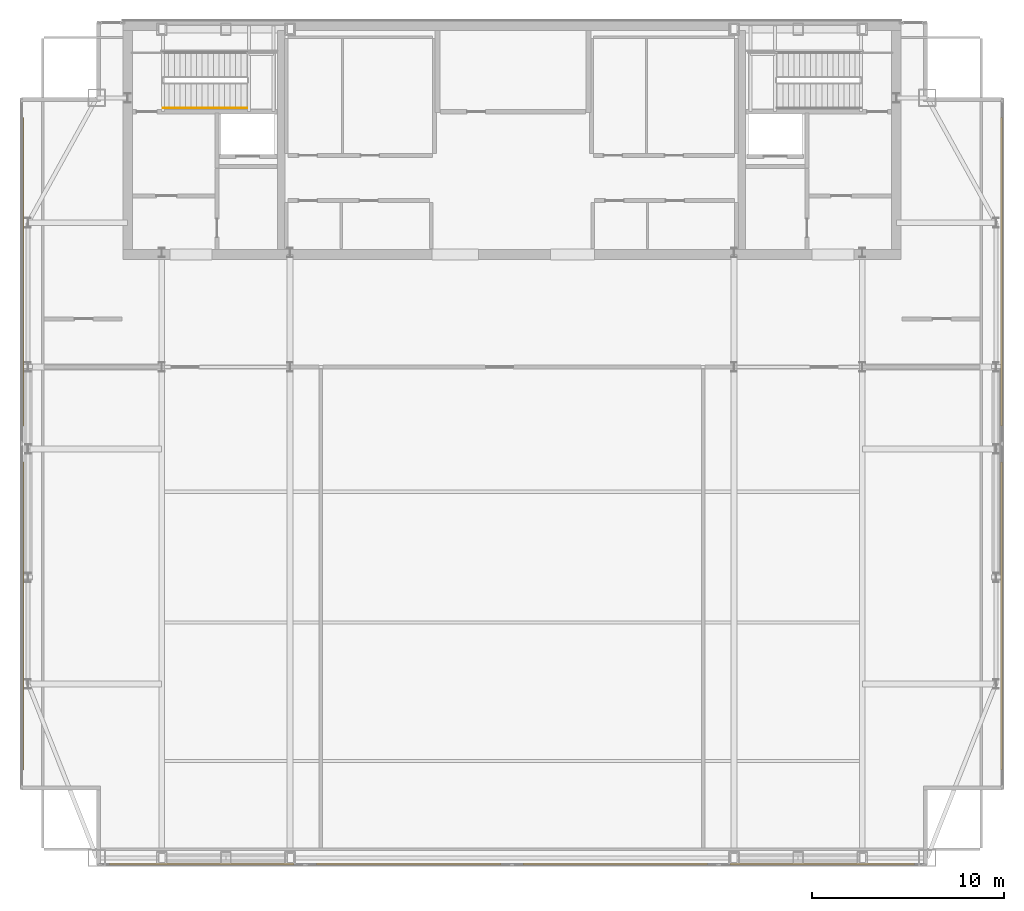
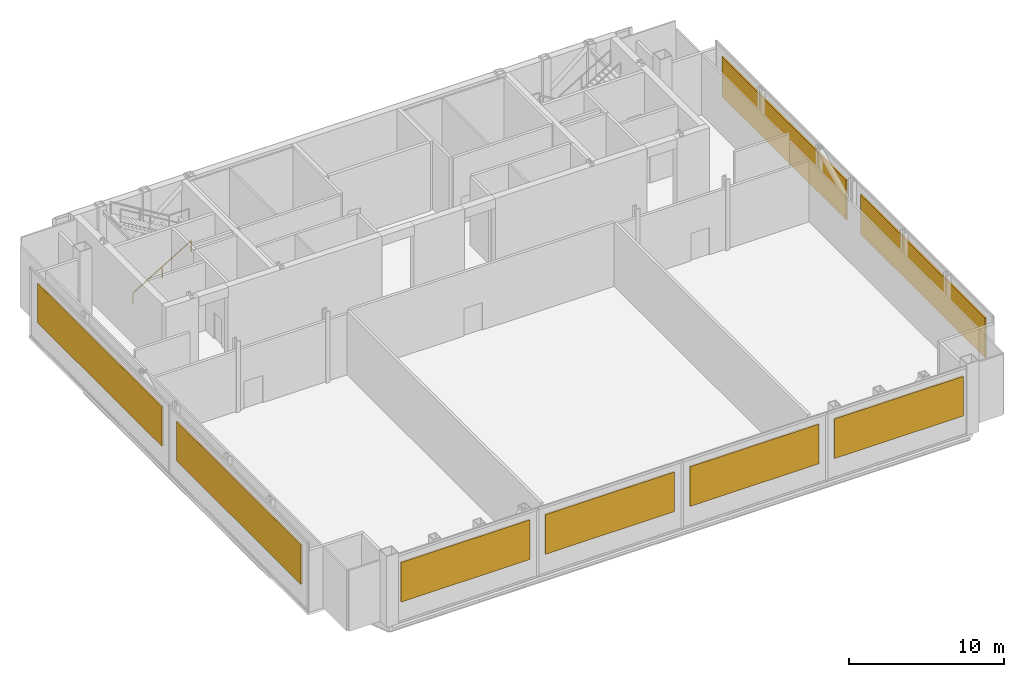
# One storey, part 21 of 22: 8 shading devices, 1 railing.
"""IFC4 building model written with IfcOpenShell, lengths in metres."""

from ifc_helpers import new_model, si_unit, direction, frame, origin, origin_2d, place, context, subcontext, project, spatial, rectangle, extrude, material, layer, layer_set, type_object, element, save


model = new_model("IFC4")

# Units and contexts
model_context = context("Model", 3, precision=1e-05, world=origin(), true_north=direction((0.0, 1.0)))
body_context = subcontext(model_context, "Body", "Model", "MODEL_VIEW")
ifc_project = project(units=[si_unit("LENGTHUNIT", "METRE"), si_unit("AREAUNIT", "SQUARE_METRE"), si_unit("VOLUMEUNIT", "CUBIC_METRE"), si_unit("PLANEANGLEUNIT", "RADIAN"), si_unit("MASSUNIT", "GRAM", prefix="KILO")], contexts=[model_context])

# Site, building, storey
site_placement = place(None, origin())
site = spatial("IfcSite", under=ifc_project, at=site_placement, CompositionType="ELEMENT")
building_placement = place(site_placement, origin())
building = spatial("IfcBuilding", under=site, at=building_placement, Name="Khoronbel Lancet Exchange", CompositionType="ELEMENT")
storey_placement = place(building_placement, frame((0.0, 0.0, 361.800048828125)))
storey = spatial("IfcBuildingStorey", under=building, at=storey_placement, Name="L93", CompositionType="ELEMENT", Elevation=361.800048828125)

# Railing
ifc_material_1 = material(Name="Brushed Stainless Steel 316", Category="steel")
railing_type = type_object("IfcRailingType", Name="RL-STH92", PredefinedType="HANDRAIL", material=ifc_material_1)
railing_placement = place(storey_placement, frame((18.300048828125, 49.169921875, 0.175048828125)))
element("IfcRailing", 1, at=railing_placement, inside=storey, type_object=railing_type, Name="L93 ST1 stair handrail 1", PredefinedType="HANDRAIL", context=body_context, shape_type="SweptSolid", body=[
    extrude(rectangle(XDim=0.048095703125, YDim=0.048095703125, at=origin_2d()), frame((0.0, 0.0, 0.8759765625), z_axis=(0.856179964356, 0.0, 0.516677722218), x_axis=(0.0, 1.0, 0.0)), (0.0, 0.0, 1.0), 5.08056640625),
    extrude(rectangle(XDim=0.0419921875, YDim=0.0419921875, at=origin_2d()), origin(), (0.0, 0.0, 1.0), 0.851806640625),
    extrude(rectangle(XDim=0.0419921875, YDim=0.0419921875, at=origin_2d()), frame((2.1748046875, 0.0, 1.3125)), (0.0, 0.0, 1.0), 0.851806640625),
    extrude(rectangle(XDim=0.0419921875, YDim=0.0419921875, at=origin_2d()), frame((4.349853515625, 0.0, 2.625)), (0.0, 0.0, 1.0), 0.851806640625),
])

# Shading devices
ifc_material_2 = material(Name="Bronze-Anodised Aluminium 6063-T6", Category="aluminium")
ifc_layer = layer(ifc_material_2, 0.159912109375, Name="Bronze-Anodised Aluminium 6063-T6")
ifc_layer_set = layer_set([ifc_layer], Name="Bronze-Anodised Aluminium 6063-T6")
shading_device_type = type_object("IfcShadingDeviceType", Name="SHD-LVR2", PredefinedType="JALOUSIE", material=ifc_layer_set)
for number, where, z_axis, x_axis, name in (
    (2, (10.97998046875, 22.7451171875, 1.57763671875), (0.0, 0.0, 1.0), (0.0, 1.0, 0.0), "Sand-trap bronze acoustic louvre CW-L93-E03-1"),
    (3, (10.97998046875, 40.655029296875, 1.57763671875), (0.0, 0.0, 1.0), (0.0, 1.0, 0.0), "Sand-trap bronze acoustic louvre CW-L93-E03-2"),
    (4, (61.919921875, 40.655029296875, 1.57763671875), (0.0, 0.0, 1.0), (0.0, -1.0, 0.0), "Sand-trap bronze acoustic louvre CW-L93-E09-1"),
    (5, (61.919921875, 22.7451171875, 1.57763671875), (0.0, 0.0, 1.0), (0.0, -1.0, 0.0), "Sand-trap bronze acoustic louvre CW-L93-E09-2"),
):
    element("IfcShadingDevice", number, at=place(storey_placement, frame(where, z_axis=z_axis, x_axis=x_axis)), inside=storey, type_object=shading_device_type, Name=name, PredefinedType="JALOUSIE", context=body_context, shape_type="SweptSolid", body=[
        extrude(rectangle(XDim=16.0380859375, YDim=0.1201171875, at=origin_2d()), origin(), (0.0, 0.0, 1.0), 3.124755859375),
    ])
for number, where, z_axis, x_axis, name in (
    (6, (52.58251953125, 9.830078125, 1.57763671875), (0.0, 0.0, 1.0), (-1.0, 0.0, 0.0), "Sand-trap bronze acoustic louvre CW-L93-E12-1"),
    (7, (41.827392578125, 9.830078125, 1.57763671875), (0.0, 0.0, 1.0), (-1.0, 0.0, 0.0), "Sand-trap bronze acoustic louvre CW-L93-E12-2"),
    (8, (31.072509765625, 9.830078125, 1.57763671875), (0.0, 0.0, 1.0), (-1.0, 0.0, 0.0), "Sand-trap bronze acoustic louvre CW-L93-E12-3"),
    (9, (20.3173828125, 9.830078125, 1.57763671875), (0.0, 0.0, 1.0), (-1.0, 0.0, 0.0), "Sand-trap bronze acoustic louvre CW-L93-E12-4"),
):
    element("IfcShadingDevice", number, at=place(storey_placement, frame(where, z_axis=z_axis, x_axis=x_axis)), inside=storey, type_object=shading_device_type, Name=name, PredefinedType="JALOUSIE", context=body_context, shape_type="SweptSolid", body=[
        extrude(rectangle(XDim=9.598388671875, YDim=0.1201171875, at=origin_2d()), origin(), (0.0, 0.0, 1.0), 3.124755859375),
    ])

save(model, "model.ifc")
